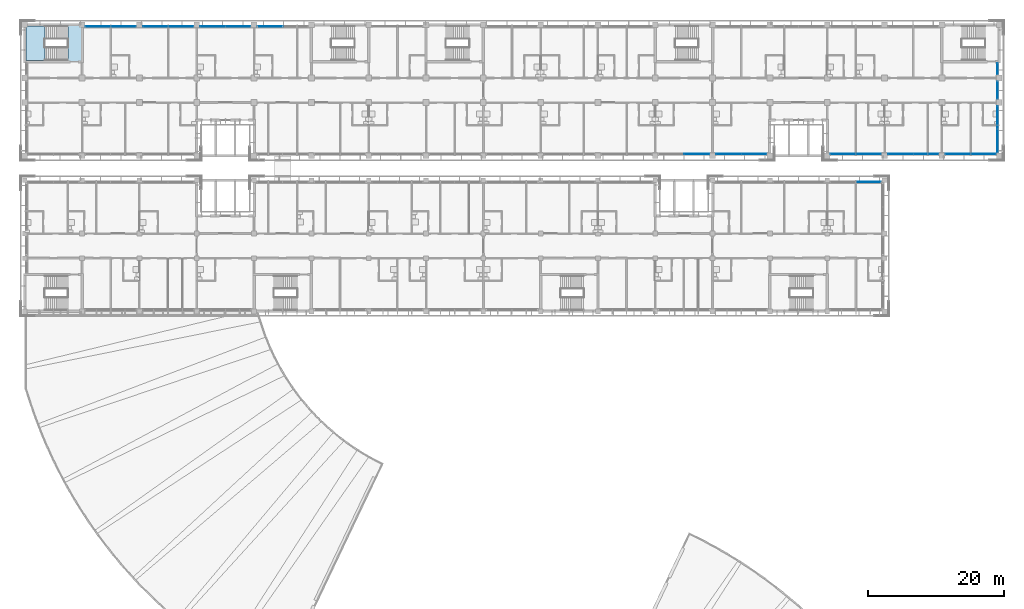
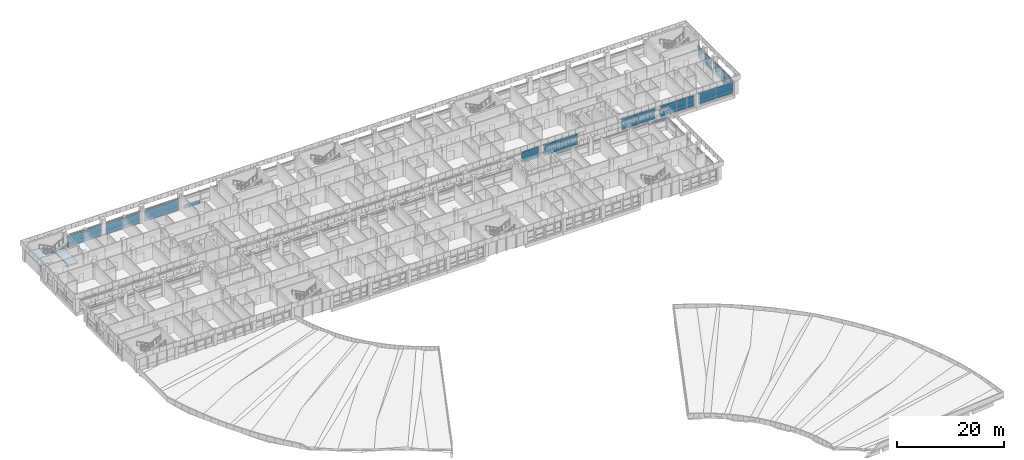
# One storey, part 25 of 74: 59 plates, 2 slabs, 14 elements without a shape of their own.
"""IFC4 building model written with IfcOpenShell, lengths in metres."""

from ifc_helpers import new_model, si_unit, direction, frame, origin, origin_2d, place, context, subcontext, project, spatial, polyline, rectangle, outline, extrude, material, layer, layer_set, type_object, element, aggregate, save


model = new_model("IFC4")

# Units and contexts
model_context = context("Model", 3, precision=1e-05, world=origin(), true_north=direction((0.0, 1.0)))
body_context = subcontext(model_context, "Body", "Model", "MODEL_VIEW")
ifc_project = project(units=[si_unit("LENGTHUNIT", "METRE"), si_unit("AREAUNIT", "SQUARE_METRE"), si_unit("VOLUMEUNIT", "CUBIC_METRE"), si_unit("PLANEANGLEUNIT", "RADIAN"), si_unit("MASSUNIT", "GRAM", prefix="KILO")], contexts=[model_context])

# Site, building, storey
site_placement = place(None, origin())
site = spatial("IfcSite", under=ifc_project, at=site_placement, CompositionType="ELEMENT")
building_placement = place(site_placement, origin())
building = spatial("IfcBuilding", under=site, at=building_placement, Name="Bougainvillea Quay General Hospital", CompositionType="ELEMENT")
storey_placement = place(building_placement, frame((0.0, 0.0, 21.0)))
storey = spatial("IfcBuildingStorey", under=building, at=storey_placement, Name="L04", CompositionType="ELEMENT", Elevation=21.0)

# Curtain wall, plate
ifc_material_1 = material(Name="Aluminium curtain wall system, powder-coated glazed", Category="aluminium")
curtain_wall_type_1 = type_object("IfcCurtainWallType", Name="Unitised curtain wall CW-3730", PredefinedType="NOTDEFINED", material=ifc_material_1)
curtain_wall_1_placement = place(storey_placement, origin())
curtain_wall_1 = element("IfcCurtainWall", 1, at=curtain_wall_1_placement, inside=storey, type_object=curtain_wall_type_1, Name="CW-4200 08", PredefinedType="NOTDEFINED")
ifc_material_2 = material(Name="Insulated aluminium spandrel panel, white", Category="aluminium")
ifc_layer_1 = layer(ifc_material_2, 0.028076171875)
ifc_layer_set_1 = layer_set([ifc_layer_1], Name="Insulated aluminium spandrel panel, white")
plate_type_1 = type_object("IfcPlateType", Name="Insulated spandrel panel white 28", PredefinedType="CURTAIN_PANEL", material=ifc_layer_set_1)
plate_1_placement = place(storey_placement, frame((77.949951171875, 159.35009765625, 0.06005859375), z_axis=(0.0, 0.0, 1.0), x_axis=(-1.0, 0.0, 0.0)))
plate_1 = element("IfcPlate", 2, at=plate_1_placement, type_object=plate_type_1, Name="CW-4200 spandrel panel 2.1", PredefinedType="CURTAIN_PANEL", context=body_context, shape_type="SweptSolid", body=[
    extrude(rectangle(XDim=3.639892578125, YDim=0.028076171875, at=origin_2d()), origin(), (0.0, 0.0, 1.0), 0.81005859375),
])
aggregate(curtain_wall_1, [plate_1])

# Curtain wall, plates
curtain_wall_2_placement = place(storey_placement, origin())
curtain_wall_2 = element("IfcCurtainWall", 3, at=curtain_wall_2_placement, inside=storey, type_object=curtain_wall_type_1, Name="CW-4200 09", PredefinedType="NOTDEFINED")
plate_2_placement = place(storey_placement, frame((73.25, 159.35009765625, 0.06005859375), z_axis=(0.0, 0.0, 1.0), x_axis=(-1.0, 0.0, 0.0)))
plate_2 = element("IfcPlate", 4, at=plate_2_placement, type_object=plate_type_1, Name="CW-4200 spandrel panel 1.1", PredefinedType="CURTAIN_PANEL", context=body_context, shape_type="SweptSolid", body=[
    extrude(rectangle(XDim=3.639892578125, YDim=0.028076171875, at=origin_2d()), origin(), (0.0, 0.0, 1.0), 0.81005859375),
])
plate_3_placement = place(storey_placement, frame((73.25, 159.35009765625, 2.2802734375), z_axis=(0.0, 0.0, 1.0), x_axis=(-1.0, 0.0, 0.0)))
plate_3 = element("IfcPlate", 5, at=plate_3_placement, type_object=plate_type_1, Name="CW-4200 spandrel panel 1.3", PredefinedType="CURTAIN_PANEL", context=body_context, shape_type="SweptSolid", body=[
    extrude(rectangle(XDim=3.639892578125, YDim=0.028076171875, at=origin_2d()), origin(), (0.0, 0.0, 1.0), 0.409912109375),
])
plate_4_placement = place(storey_placement, frame((69.550048828125, 159.35009765625, 0.06005859375), z_axis=(0.0, 0.0, 1.0), x_axis=(-1.0, 0.0, 0.0)))
plate_4 = element("IfcPlate", 6, at=plate_4_placement, type_object=plate_type_1, Name="CW-4200 spandrel panel 2.1", PredefinedType="CURTAIN_PANEL", context=body_context, shape_type="SweptSolid", body=[
    extrude(rectangle(XDim=3.639892578125, YDim=0.028076171875, at=origin_2d()), origin(), (0.0, 0.0, 1.0), 0.81005859375),
])
plate_5_placement = place(storey_placement, frame((69.550048828125, 159.35009765625, 2.2802734375), z_axis=(0.0, 0.0, 1.0), x_axis=(-1.0, 0.0, 0.0)))
plate_5 = element("IfcPlate", 7, at=plate_5_placement, type_object=plate_type_1, Name="CW-4200 spandrel panel 2.3", PredefinedType="CURTAIN_PANEL", context=body_context, shape_type="SweptSolid", body=[
    extrude(rectangle(XDim=3.639892578125, YDim=0.028076171875, at=origin_2d()), origin(), (0.0, 0.0, 1.0), 0.409912109375),
])

curtain_wall_3_placement = place(storey_placement, origin())
curtain_wall_3 = element("IfcCurtainWall", 8, at=curtain_wall_3_placement, inside=storey, type_object=curtain_wall_type_1, Name="CW-4200 10", PredefinedType="NOTDEFINED")
plate_6_placement = place(storey_placement, frame((64.85009765625, 159.35009765625, 0.06005859375), z_axis=(0.0, 0.0, 1.0), x_axis=(-1.0, 0.0, 0.0)))
plate_6 = element("IfcPlate", 9, at=plate_6_placement, type_object=plate_type_1, Name="CW-4200 spandrel panel 1.1", PredefinedType="CURTAIN_PANEL", context=body_context, shape_type="SweptSolid", body=[
    extrude(rectangle(XDim=3.639892578125, YDim=0.028076171875, at=origin_2d()), origin(), (0.0, 0.0, 1.0), 0.81005859375),
])
plate_7_placement = place(storey_placement, frame((64.85009765625, 159.35009765625, 2.2802734375), z_axis=(0.0, 0.0, 1.0), x_axis=(-1.0, 0.0, 0.0)))
plate_7 = element("IfcPlate", 10, at=plate_7_placement, type_object=plate_type_1, Name="CW-4200 spandrel panel 1.3", PredefinedType="CURTAIN_PANEL", context=body_context, shape_type="SweptSolid", body=[
    extrude(rectangle(XDim=3.639892578125, YDim=0.028076171875, at=origin_2d()), origin(), (0.0, 0.0, 1.0), 0.409912109375),
])
plate_8_placement = place(storey_placement, frame((61.14990234375, 159.35009765625, 0.06005859375), z_axis=(0.0, 0.0, 1.0), x_axis=(-1.0, 0.0, 0.0)))
plate_8 = element("IfcPlate", 11, at=plate_8_placement, type_object=plate_type_1, Name="CW-4200 spandrel panel 2.1", PredefinedType="CURTAIN_PANEL", context=body_context, shape_type="SweptSolid", body=[
    extrude(rectangle(XDim=3.639892578125, YDim=0.028076171875, at=origin_2d()), origin(), (0.0, 0.0, 1.0), 0.81005859375),
])
plate_9_placement = place(storey_placement, frame((61.14990234375, 159.35009765625, 2.2802734375), z_axis=(0.0, 0.0, 1.0), x_axis=(-1.0, 0.0, 0.0)))
plate_9 = element("IfcPlate", 12, at=plate_9_placement, type_object=plate_type_1, Name="CW-4200 spandrel panel 2.3", PredefinedType="CURTAIN_PANEL", context=body_context, shape_type="SweptSolid", body=[
    extrude(rectangle(XDim=3.639892578125, YDim=0.028076171875, at=origin_2d()), origin(), (0.0, 0.0, 1.0), 0.409912109375),
])

curtain_wall_4_placement = place(storey_placement, origin())
curtain_wall_4 = element("IfcCurtainWall", 13, at=curtain_wall_4_placement, inside=storey, type_object=curtain_wall_type_1, Name="CW-4200 11", PredefinedType="NOTDEFINED")
plate_10_placement = place(storey_placement, frame((56.449951171875, 159.35009765625, 0.06005859375), z_axis=(0.0, 0.0, 1.0), x_axis=(-1.0, 0.0, 0.0)))
plate_10 = element("IfcPlate", 14, at=plate_10_placement, type_object=plate_type_1, Name="CW-4200 spandrel panel 1.1", PredefinedType="CURTAIN_PANEL", context=body_context, shape_type="SweptSolid", body=[
    extrude(rectangle(XDim=3.639892578125, YDim=0.028076171875, at=origin_2d()), origin(), (0.0, 0.0, 1.0), 0.81005859375),
])
plate_11_placement = place(storey_placement, frame((56.449951171875, 159.35009765625, 2.2802734375), z_axis=(0.0, 0.0, 1.0), x_axis=(-1.0, 0.0, 0.0)))
plate_11 = element("IfcPlate", 15, at=plate_11_placement, type_object=plate_type_1, Name="CW-4200 spandrel panel 1.3", PredefinedType="CURTAIN_PANEL", context=body_context, shape_type="SweptSolid", body=[
    extrude(rectangle(XDim=3.639892578125, YDim=0.028076171875, at=origin_2d()), origin(), (0.0, 0.0, 1.0), 0.409912109375),
])
plate_12_placement = place(storey_placement, frame((52.75, 159.35009765625, 0.06005859375), z_axis=(0.0, 0.0, 1.0), x_axis=(-1.0, 0.0, 0.0)))
plate_12 = element("IfcPlate", 16, at=plate_12_placement, type_object=plate_type_1, Name="CW-4200 spandrel panel 2.1", PredefinedType="CURTAIN_PANEL", context=body_context, shape_type="SweptSolid", body=[
    extrude(rectangle(XDim=3.639892578125, YDim=0.028076171875, at=origin_2d()), origin(), (0.0, 0.0, 1.0), 0.81005859375),
])
plate_13_placement = place(storey_placement, frame((52.75, 159.35009765625, 2.2802734375), z_axis=(0.0, 0.0, 1.0), x_axis=(-1.0, 0.0, 0.0)))
plate_13 = element("IfcPlate", 17, at=plate_13_placement, type_object=plate_type_1, Name="CW-4200 spandrel panel 2.3", PredefinedType="CURTAIN_PANEL", context=body_context, shape_type="SweptSolid", body=[
    extrude(rectangle(XDim=3.639892578125, YDim=0.028076171875, at=origin_2d()), origin(), (0.0, 0.0, 1.0), 0.409912109375),
])

curtain_wall_5_placement = place(storey_placement, origin())
curtain_wall_5 = element("IfcCurtainWall", 18, at=curtain_wall_5_placement, inside=storey, type_object=curtain_wall_type_1, Name="CW-4200 07", PredefinedType="NOTDEFINED")
plate_14_placement = place(storey_placement, frame((140.449951171875, 140.64990234375, 0.06005859375), z_axis=(0.0, 0.0, 1.0), x_axis=(1.0, 0.0, 0.0)))
plate_14 = element("IfcPlate", 19, at=plate_14_placement, type_object=plate_type_1, Name="CW-4200 spandrel panel 2.1", PredefinedType="CURTAIN_PANEL", context=body_context, shape_type="SweptSolid", body=[
    extrude(rectangle(XDim=3.639892578125, YDim=0.028076171875, at=origin_2d()), origin(), (0.0, 0.0, 1.0), 0.81005859375),
])
plate_15_placement = place(storey_placement, frame((140.449951171875, 140.64990234375, 2.2802734375), z_axis=(0.0, 0.0, 1.0), x_axis=(1.0, 0.0, 0.0)))
plate_15 = element("IfcPlate", 20, at=plate_15_placement, type_object=plate_type_1, Name="CW-4200 spandrel panel 2.3", PredefinedType="CURTAIN_PANEL", context=body_context, shape_type="SweptSolid", body=[
    extrude(rectangle(XDim=3.639892578125, YDim=0.028076171875, at=origin_2d()), origin(), (0.0, 0.0, 1.0), 0.409912109375),
])

curtain_wall_6_placement = place(storey_placement, origin())
curtain_wall_6 = element("IfcCurtainWall", 21, at=curtain_wall_6_placement, inside=storey, type_object=curtain_wall_type_1, Name="CW-4200 08", PredefinedType="NOTDEFINED")
plate_16_placement = place(storey_placement, frame((145.14990234375, 140.64990234375, 0.06005859375), z_axis=(0.0, 0.0, 1.0), x_axis=(1.0, 0.0, 0.0)))
plate_16 = element("IfcPlate", 22, at=plate_16_placement, type_object=plate_type_1, Name="CW-4200 spandrel panel 1.1", PredefinedType="CURTAIN_PANEL", context=body_context, shape_type="SweptSolid", body=[
    extrude(rectangle(XDim=3.639892578125, YDim=0.028076171875, at=origin_2d()), origin(), (0.0, 0.0, 1.0), 0.81005859375),
])
plate_17_placement = place(storey_placement, frame((145.14990234375, 140.64990234375, 2.2802734375), z_axis=(0.0, 0.0, 1.0), x_axis=(1.0, 0.0, 0.0)))
plate_17 = element("IfcPlate", 23, at=plate_17_placement, type_object=plate_type_1, Name="CW-4200 spandrel panel 1.3", PredefinedType="CURTAIN_PANEL", context=body_context, shape_type="SweptSolid", body=[
    extrude(rectangle(XDim=3.639892578125, YDim=0.028076171875, at=origin_2d()), origin(), (0.0, 0.0, 1.0), 0.409912109375),
])
plate_18_placement = place(storey_placement, frame((148.85009765625, 140.64990234375, 0.06005859375), z_axis=(0.0, 0.0, 1.0), x_axis=(1.0, 0.0, 0.0)))
plate_18 = element("IfcPlate", 24, at=plate_18_placement, type_object=plate_type_1, Name="CW-4200 spandrel panel 2.1", PredefinedType="CURTAIN_PANEL", context=body_context, shape_type="SweptSolid", body=[
    extrude(rectangle(XDim=3.639892578125, YDim=0.028076171875, at=origin_2d()), origin(), (0.0, 0.0, 1.0), 0.81005859375),
])
plate_19_placement = place(storey_placement, frame((148.85009765625, 140.64990234375, 2.2802734375), z_axis=(0.0, 0.0, 1.0), x_axis=(1.0, 0.0, 0.0)))
plate_19 = element("IfcPlate", 25, at=plate_19_placement, type_object=plate_type_1, Name="CW-4200 spandrel panel 2.3", PredefinedType="CURTAIN_PANEL", context=body_context, shape_type="SweptSolid", body=[
    extrude(rectangle(XDim=3.639892578125, YDim=0.028076171875, at=origin_2d()), origin(), (0.0, 0.0, 1.0), 0.409912109375),
])

curtain_wall_7_placement = place(storey_placement, origin())
curtain_wall_7 = element("IfcCurtainWall", 26, at=curtain_wall_7_placement, inside=storey, type_object=curtain_wall_type_1, Name="CW-4200 00", PredefinedType="NOTDEFINED")
plate_20_placement = place(storey_placement, frame((161.949951171875, 140.64990234375, 0.06005859375), z_axis=(0.0, 0.0, 1.0), x_axis=(1.0, 0.0, 0.0)))
plate_20 = element("IfcPlate", 27, at=plate_20_placement, type_object=plate_type_1, Name="CW-4200 spandrel panel 1.1", PredefinedType="CURTAIN_PANEL", context=body_context, shape_type="SweptSolid", body=[
    extrude(rectangle(XDim=3.639892578125, YDim=0.028076171875, at=origin_2d()), origin(), (0.0, 0.0, 1.0), 0.81005859375),
])
plate_21_placement = place(storey_placement, frame((161.949951171875, 140.64990234375, 2.2802734375), z_axis=(0.0, 0.0, 1.0), x_axis=(1.0, 0.0, 0.0)))
plate_21 = element("IfcPlate", 28, at=plate_21_placement, type_object=plate_type_1, Name="CW-4200 spandrel panel 1.3", PredefinedType="CURTAIN_PANEL", context=body_context, shape_type="SweptSolid", body=[
    extrude(rectangle(XDim=3.639892578125, YDim=0.028076171875, at=origin_2d()), origin(), (0.0, 0.0, 1.0), 0.409912109375),
])
plate_22_placement = place(storey_placement, frame((165.64990234375, 140.64990234375, 0.06005859375), z_axis=(0.0, 0.0, 1.0), x_axis=(1.0, 0.0, 0.0)))
plate_22 = element("IfcPlate", 29, at=plate_22_placement, type_object=plate_type_1, Name="CW-4200 spandrel panel 2.1", PredefinedType="CURTAIN_PANEL", context=body_context, shape_type="SweptSolid", body=[
    extrude(rectangle(XDim=3.639892578125, YDim=0.028076171875, at=origin_2d()), origin(), (0.0, 0.0, 1.0), 0.81005859375),
])
plate_23_placement = place(storey_placement, frame((165.64990234375, 140.64990234375, 2.2802734375), z_axis=(0.0, 0.0, 1.0), x_axis=(1.0, 0.0, 0.0)))
plate_23 = element("IfcPlate", 30, at=plate_23_placement, type_object=plate_type_1, Name="CW-4200 spandrel panel 2.3", PredefinedType="CURTAIN_PANEL", context=body_context, shape_type="SweptSolid", body=[
    extrude(rectangle(XDim=3.639892578125, YDim=0.028076171875, at=origin_2d()), origin(), (0.0, 0.0, 1.0), 0.409912109375),
])

curtain_wall_8_placement = place(storey_placement, origin())
curtain_wall_8 = element("IfcCurtainWall", 31, at=curtain_wall_8_placement, inside=storey, type_object=curtain_wall_type_1, Name="CW-4200 01", PredefinedType="NOTDEFINED")
plate_24_placement = place(storey_placement, frame((170.35009765625, 140.64990234375, 0.06005859375), z_axis=(0.0, 0.0, 1.0), x_axis=(1.0, 0.0, 0.0)))
plate_24 = element("IfcPlate", 32, at=plate_24_placement, type_object=plate_type_1, Name="CW-4200 spandrel panel 1.1", PredefinedType="CURTAIN_PANEL", context=body_context, shape_type="SweptSolid", body=[
    extrude(rectangle(XDim=3.639892578125, YDim=0.028076171875, at=origin_2d()), origin(), (0.0, 0.0, 1.0), 0.81005859375),
])
plate_25_placement = place(storey_placement, frame((170.35009765625, 140.64990234375, 2.2802734375), z_axis=(0.0, 0.0, 1.0), x_axis=(1.0, 0.0, 0.0)))
plate_25 = element("IfcPlate", 33, at=plate_25_placement, type_object=plate_type_1, Name="CW-4200 spandrel panel 1.3", PredefinedType="CURTAIN_PANEL", context=body_context, shape_type="SweptSolid", body=[
    extrude(rectangle(XDim=3.639892578125, YDim=0.028076171875, at=origin_2d()), origin(), (0.0, 0.0, 1.0), 0.409912109375),
])
plate_26_placement = place(storey_placement, frame((174.050048828125, 140.64990234375, 0.06005859375), z_axis=(0.0, 0.0, 1.0), x_axis=(1.0, 0.0, 0.0)))
plate_26 = element("IfcPlate", 34, at=plate_26_placement, type_object=plate_type_1, Name="CW-4200 spandrel panel 2.1", PredefinedType="CURTAIN_PANEL", context=body_context, shape_type="SweptSolid", body=[
    extrude(rectangle(XDim=3.639892578125, YDim=0.028076171875, at=origin_2d()), origin(), (0.0, 0.0, 1.0), 0.81005859375),
])
plate_27_placement = place(storey_placement, frame((174.050048828125, 140.64990234375, 2.2802734375), z_axis=(0.0, 0.0, 1.0), x_axis=(1.0, 0.0, 0.0)))
plate_27 = element("IfcPlate", 35, at=plate_27_placement, type_object=plate_type_1, Name="CW-4200 spandrel panel 2.3", PredefinedType="CURTAIN_PANEL", context=body_context, shape_type="SweptSolid", body=[
    extrude(rectangle(XDim=3.639892578125, YDim=0.028076171875, at=origin_2d()), origin(), (0.0, 0.0, 1.0), 0.409912109375),
])

curtain_wall_9_placement = place(storey_placement, origin())
curtain_wall_9 = element("IfcCurtainWall", 36, at=curtain_wall_9_placement, inside=storey, type_object=curtain_wall_type_1, Name="CW-4200 02", PredefinedType="NOTDEFINED")
plate_28_placement = place(storey_placement, frame((178.75, 140.64990234375, 0.06005859375), z_axis=(0.0, 0.0, 1.0), x_axis=(1.0, 0.0, 0.0)))
plate_28 = element("IfcPlate", 37, at=plate_28_placement, type_object=plate_type_1, Name="CW-4200 spandrel panel 1.1", PredefinedType="CURTAIN_PANEL", context=body_context, shape_type="SweptSolid", body=[
    extrude(rectangle(XDim=3.639892578125, YDim=0.028076171875, at=origin_2d()), origin(), (0.0, 0.0, 1.0), 0.81005859375),
])
plate_29_placement = place(storey_placement, frame((178.75, 140.64990234375, 2.2802734375), z_axis=(0.0, 0.0, 1.0), x_axis=(1.0, 0.0, 0.0)))
plate_29 = element("IfcPlate", 38, at=plate_29_placement, type_object=plate_type_1, Name="CW-4200 spandrel panel 1.3", PredefinedType="CURTAIN_PANEL", context=body_context, shape_type="SweptSolid", body=[
    extrude(rectangle(XDim=3.639892578125, YDim=0.028076171875, at=origin_2d()), origin(), (0.0, 0.0, 1.0), 0.409912109375),
])
plate_30_placement = place(storey_placement, frame((182.449951171875, 140.64990234375, 0.06005859375), z_axis=(0.0, 0.0, 1.0), x_axis=(1.0, 0.0, 0.0)))
plate_30 = element("IfcPlate", 39, at=plate_30_placement, type_object=plate_type_1, Name="CW-4200 spandrel panel 2.1", PredefinedType="CURTAIN_PANEL", context=body_context, shape_type="SweptSolid", body=[
    extrude(rectangle(XDim=3.639892578125, YDim=0.028076171875, at=origin_2d()), origin(), (0.0, 0.0, 1.0), 0.81005859375),
])
plate_31_placement = place(storey_placement, frame((182.449951171875, 140.64990234375, 2.2802734375), z_axis=(0.0, 0.0, 1.0), x_axis=(1.0, 0.0, 0.0)))
plate_31 = element("IfcPlate", 40, at=plate_31_placement, type_object=plate_type_1, Name="CW-4200 spandrel panel 2.3", PredefinedType="CURTAIN_PANEL", context=body_context, shape_type="SweptSolid", body=[
    extrude(rectangle(XDim=3.639892578125, YDim=0.028076171875, at=origin_2d()), origin(), (0.0, 0.0, 1.0), 0.409912109375),
])

curtain_wall_type_2 = type_object("IfcCurtainWallType", Name="Unitised curtain wall CW-3430", PredefinedType="NOTDEFINED", material=ifc_material_1)
curtain_wall_10_placement = place(storey_placement, origin())
curtain_wall_10 = element("IfcCurtainWall", 41, at=curtain_wall_10_placement, inside=storey, type_object=curtain_wall_type_2, Name="CW-4200 00", PredefinedType="NOTDEFINED")
plate_32_placement = place(storey_placement, frame((184.550048828125, 142.60009765625, 0.06005859375), z_axis=(0.0, 0.0, 1.0), x_axis=(0.0, 1.0, 0.0)))
plate_32 = element("IfcPlate", 42, at=plate_32_placement, type_object=plate_type_1, Name="CW-4200 spandrel panel 1.1", PredefinedType="CURTAIN_PANEL", context=body_context, shape_type="SweptSolid", body=[
    extrude(rectangle(XDim=3.340087890625, YDim=0.028076171875, at=origin_2d()), origin(), (0.0, 0.0, 1.0), 0.81005859375),
])
plate_33_placement = place(storey_placement, frame((184.550048828125, 142.60009765625, 2.2802734375), z_axis=(0.0, 0.0, 1.0), x_axis=(0.0, 1.0, 0.0)))
plate_33 = element("IfcPlate", 43, at=plate_33_placement, type_object=plate_type_1, Name="CW-4200 spandrel panel 1.3", PredefinedType="CURTAIN_PANEL", context=body_context, shape_type="SweptSolid", body=[
    extrude(rectangle(XDim=3.340087890625, YDim=0.028076171875, at=origin_2d()), origin(), (0.0, 0.0, 1.0), 0.409912109375),
])
plate_34_placement = place(storey_placement, frame((184.550048828125, 146.0, 0.06005859375), z_axis=(0.0, 0.0, 1.0), x_axis=(0.0, 1.0, 0.0)))
plate_34 = element("IfcPlate", 44, at=plate_34_placement, type_object=plate_type_1, Name="CW-4200 spandrel panel 2.1", PredefinedType="CURTAIN_PANEL", context=body_context, shape_type="SweptSolid", body=[
    extrude(rectangle(XDim=3.340087890625, YDim=0.028076171875, at=origin_2d()), origin(), (0.0, 0.0, 1.0), 0.81005859375),
])
plate_35_placement = place(storey_placement, frame((184.550048828125, 146.0, 2.2802734375), z_axis=(0.0, 0.0, 1.0), x_axis=(0.0, 1.0, 0.0)))
plate_35 = element("IfcPlate", 45, at=plate_35_placement, type_object=plate_type_1, Name="CW-4200 spandrel panel 2.3", PredefinedType="CURTAIN_PANEL", context=body_context, shape_type="SweptSolid", body=[
    extrude(rectangle(XDim=3.340087890625, YDim=0.028076171875, at=origin_2d()), origin(), (0.0, 0.0, 1.0), 0.409912109375),
])

curtain_wall_type_3 = type_object("IfcCurtainWallType", Name="Unitised curtain wall CW-2660", PredefinedType="NOTDEFINED", material=ifc_material_1)
curtain_wall_11_placement = place(storey_placement, origin())
curtain_wall_11 = element("IfcCurtainWall", 46, at=curtain_wall_11_placement, inside=storey, type_object=curtain_wall_type_3, Name="CW-4200 01", PredefinedType="NOTDEFINED")
plate_36_placement = place(storey_placement, frame((184.550048828125, 150.0, 0.06005859375), z_axis=(0.0, 0.0, 1.0), x_axis=(0.0, 1.0, 0.0)))
plate_36 = element("IfcPlate", 47, at=plate_36_placement, type_object=plate_type_1, Name="CW-4200 spandrel panel 1.1", PredefinedType="CURTAIN_PANEL", context=body_context, shape_type="SweptSolid", body=[
    extrude(rectangle(XDim=2.5400390625, YDim=0.028076171875, at=origin_2d()), origin(), (0.0, 0.0, 1.0), 0.81005859375),
])
plate_37_placement = place(storey_placement, frame((184.550048828125, 150.0, 2.2802734375), z_axis=(0.0, 0.0, 1.0), x_axis=(0.0, 1.0, 0.0)))
plate_37 = element("IfcPlate", 48, at=plate_37_placement, type_object=plate_type_1, Name="CW-4200 spandrel panel 1.3", PredefinedType="CURTAIN_PANEL", context=body_context, shape_type="SweptSolid", body=[
    extrude(rectangle(XDim=2.5400390625, YDim=0.028076171875, at=origin_2d()), origin(), (0.0, 0.0, 1.0), 0.409912109375),
])

curtain_wall_type_4 = type_object("IfcCurtainWallType", Name="Unitised curtain wall CW-1755", PredefinedType="NOTDEFINED", material=ifc_material_1)
curtain_wall_12_placement = place(storey_placement, origin())
curtain_wall_12 = element("IfcCurtainWall", 49, at=curtain_wall_12_placement, inside=storey, type_object=curtain_wall_type_4, Name="CW-4200 02", PredefinedType="NOTDEFINED")
plate_38_placement = place(storey_placement, frame((184.550048828125, 153.1474609375, 0.06005859375), z_axis=(0.0, 0.0, 1.0), x_axis=(0.0, 1.0, 0.0)))
plate_38 = element("IfcPlate", 50, at=plate_38_placement, type_object=plate_type_1, Name="CW-4200 spandrel panel 1.1", PredefinedType="CURTAIN_PANEL", context=body_context, shape_type="SweptSolid", body=[
    extrude(rectangle(XDim=1.635009765625, YDim=0.028076171875, at=origin_2d()), origin(), (0.0, 0.0, 1.0), 0.81005859375),
])
plate_39_placement = place(storey_placement, frame((184.550048828125, 153.1474609375, 2.2802734375), z_axis=(0.0, 0.0, 1.0), x_axis=(0.0, 1.0, 0.0)))
plate_39 = element("IfcPlate", 51, at=plate_39_placement, type_object=plate_type_1, Name="CW-4200 spandrel panel 1.3", PredefinedType="CURTAIN_PANEL", context=body_context, shape_type="SweptSolid", body=[
    extrude(rectangle(XDim=1.635009765625, YDim=0.028076171875, at=origin_2d()), origin(), (0.0, 0.0, 1.0), 0.409912109375),
])

# Curtain wall, plate
curtain_wall_13_placement = place(storey_placement, origin())
curtain_wall_13 = element("IfcCurtainWall", 52, at=curtain_wall_13_placement, inside=storey, type_object=curtain_wall_type_1, Name="CW-4200 00", PredefinedType="NOTDEFINED")
plate_40_placement = place(storey_placement, frame((165.64990234375, 136.550048828125, 2.2802734375), z_axis=(0.0, 0.0, 1.0), x_axis=(-1.0, 0.0, 0.0)))
plate_40 = element("IfcPlate", 53, at=plate_40_placement, type_object=plate_type_1, Name="CW-4200 spandrel panel 1.3", PredefinedType="CURTAIN_PANEL", context=body_context, shape_type="SweptSolid", body=[
    extrude(rectangle(XDim=3.639892578125, YDim=0.028076171875, at=origin_2d()), origin(), (0.0, 0.0, 1.0), 0.409912109375),
])
aggregate(curtain_wall_13, [plate_40])

# Plate
ifc_material_3 = material(Name="Low-e laminated glass, solar control", Category="glass")
ifc_layer_2 = layer(ifc_material_3, 0.028076171875)
ifc_layer_set_2 = layer_set([ifc_layer_2], Name="Low-e laminated glass, solar control")
plate_type_2 = type_object("IfcPlateType", Name="Low-e laminated vision glass 28", PredefinedType="CURTAIN_PANEL", material=ifc_layer_set_2)
plate_41_placement = place(storey_placement, frame((73.25, 159.35009765625, 0.929931640625), z_axis=(0.0, 0.0, 1.0), x_axis=(-1.0, 0.0, 0.0)))
plate_41 = element("IfcPlate", 54, at=plate_41_placement, type_object=plate_type_2, Name="CW-4200 vision glass panel 1.2", PredefinedType="CURTAIN_PANEL", context=body_context, shape_type="SweptSolid", body=[
    extrude(rectangle(XDim=3.639892578125, YDim=0.028076171875, at=origin_2d()), origin(), (0.0, 0.0, 1.0), 1.2900390625),
])

plate_42_placement = place(storey_placement, frame((69.550048828125, 159.35009765625, 0.929931640625), z_axis=(0.0, 0.0, 1.0), x_axis=(-1.0, 0.0, 0.0)))
plate_42 = element("IfcPlate", 55, at=plate_42_placement, type_object=plate_type_2, Name="CW-4200 vision glass panel 2.2", PredefinedType="CURTAIN_PANEL", context=body_context, shape_type="SweptSolid", body=[
    extrude(rectangle(XDim=3.639892578125, YDim=0.028076171875, at=origin_2d()), origin(), (0.0, 0.0, 1.0), 1.2900390625),
])

aggregate(curtain_wall_2, [plate_2, plate_41, plate_3, plate_4, plate_42, plate_5])

plate_43_placement = place(storey_placement, frame((64.85009765625, 159.35009765625, 0.929931640625), z_axis=(0.0, 0.0, 1.0), x_axis=(-1.0, 0.0, 0.0)))
plate_43 = element("IfcPlate", 56, at=plate_43_placement, type_object=plate_type_2, Name="CW-4200 vision glass panel 1.2", PredefinedType="CURTAIN_PANEL", context=body_context, shape_type="SweptSolid", body=[
    extrude(rectangle(XDim=3.639892578125, YDim=0.028076171875, at=origin_2d()), origin(), (0.0, 0.0, 1.0), 1.2900390625),
])

plate_44_placement = place(storey_placement, frame((61.14990234375, 159.35009765625, 0.929931640625), z_axis=(0.0, 0.0, 1.0), x_axis=(-1.0, 0.0, 0.0)))
plate_44 = element("IfcPlate", 57, at=plate_44_placement, type_object=plate_type_2, Name="CW-4200 vision glass panel 2.2", PredefinedType="CURTAIN_PANEL", context=body_context, shape_type="SweptSolid", body=[
    extrude(rectangle(XDim=3.639892578125, YDim=0.028076171875, at=origin_2d()), origin(), (0.0, 0.0, 1.0), 1.2900390625),
])

aggregate(curtain_wall_3, [plate_6, plate_43, plate_7, plate_8, plate_44, plate_9])

plate_45_placement = place(storey_placement, frame((56.449951171875, 159.35009765625, 0.929931640625), z_axis=(0.0, 0.0, 1.0), x_axis=(-1.0, 0.0, 0.0)))
plate_45 = element("IfcPlate", 58, at=plate_45_placement, type_object=plate_type_2, Name="CW-4200 vision glass panel 1.2", PredefinedType="CURTAIN_PANEL", context=body_context, shape_type="SweptSolid", body=[
    extrude(rectangle(XDim=3.639892578125, YDim=0.028076171875, at=origin_2d()), origin(), (0.0, 0.0, 1.0), 1.2900390625),
])

plate_46_placement = place(storey_placement, frame((52.75, 159.35009765625, 0.929931640625), z_axis=(0.0, 0.0, 1.0), x_axis=(-1.0, 0.0, 0.0)))
plate_46 = element("IfcPlate", 59, at=plate_46_placement, type_object=plate_type_2, Name="CW-4200 vision glass panel 2.2", PredefinedType="CURTAIN_PANEL", context=body_context, shape_type="SweptSolid", body=[
    extrude(rectangle(XDim=3.639892578125, YDim=0.028076171875, at=origin_2d()), origin(), (0.0, 0.0, 1.0), 1.2900390625),
])

aggregate(curtain_wall_4, [plate_10, plate_45, plate_11, plate_12, plate_46, plate_13])

plate_47_placement = place(storey_placement, frame((140.449951171875, 140.64990234375, 0.929931640625), z_axis=(0.0, 0.0, 1.0), x_axis=(1.0, 0.0, 0.0)))
plate_47 = element("IfcPlate", 60, at=plate_47_placement, type_object=plate_type_2, Name="CW-4200 vision glass panel 2.2", PredefinedType="CURTAIN_PANEL", context=body_context, shape_type="SweptSolid", body=[
    extrude(rectangle(XDim=3.639892578125, YDim=0.028076171875, at=origin_2d()), origin(), (0.0, 0.0, 1.0), 1.2900390625),
])

aggregate(curtain_wall_5, [plate_14, plate_47, plate_15])

plate_48_placement = place(storey_placement, frame((145.14990234375, 140.64990234375, 0.929931640625), z_axis=(0.0, 0.0, 1.0), x_axis=(1.0, 0.0, 0.0)))
plate_48 = element("IfcPlate", 61, at=plate_48_placement, type_object=plate_type_2, Name="CW-4200 vision glass panel 1.2", PredefinedType="CURTAIN_PANEL", context=body_context, shape_type="SweptSolid", body=[
    extrude(rectangle(XDim=3.639892578125, YDim=0.028076171875, at=origin_2d()), origin(), (0.0, 0.0, 1.0), 1.2900390625),
])

plate_49_placement = place(storey_placement, frame((148.85009765625, 140.64990234375, 0.929931640625), z_axis=(0.0, 0.0, 1.0), x_axis=(1.0, 0.0, 0.0)))
plate_49 = element("IfcPlate", 62, at=plate_49_placement, type_object=plate_type_2, Name="CW-4200 vision glass panel 2.2", PredefinedType="CURTAIN_PANEL", context=body_context, shape_type="SweptSolid", body=[
    extrude(rectangle(XDim=3.639892578125, YDim=0.028076171875, at=origin_2d()), origin(), (0.0, 0.0, 1.0), 1.2900390625),
])

aggregate(curtain_wall_6, [plate_16, plate_48, plate_17, plate_18, plate_49, plate_19])

plate_50_placement = place(storey_placement, frame((161.949951171875, 140.64990234375, 0.929931640625), z_axis=(0.0, 0.0, 1.0), x_axis=(1.0, 0.0, 0.0)))
plate_50 = element("IfcPlate", 63, at=plate_50_placement, type_object=plate_type_2, Name="CW-4200 vision glass panel 1.2", PredefinedType="CURTAIN_PANEL", context=body_context, shape_type="SweptSolid", body=[
    extrude(rectangle(XDim=3.639892578125, YDim=0.028076171875, at=origin_2d()), origin(), (0.0, 0.0, 1.0), 1.2900390625),
])

plate_51_placement = place(storey_placement, frame((165.64990234375, 140.64990234375, 0.929931640625), z_axis=(0.0, 0.0, 1.0), x_axis=(1.0, 0.0, 0.0)))
plate_51 = element("IfcPlate", 64, at=plate_51_placement, type_object=plate_type_2, Name="CW-4200 vision glass panel 2.2", PredefinedType="CURTAIN_PANEL", context=body_context, shape_type="SweptSolid", body=[
    extrude(rectangle(XDim=3.639892578125, YDim=0.028076171875, at=origin_2d()), origin(), (0.0, 0.0, 1.0), 1.2900390625),
])

aggregate(curtain_wall_7, [plate_20, plate_50, plate_21, plate_22, plate_51, plate_23])

plate_52_placement = place(storey_placement, frame((170.35009765625, 140.64990234375, 0.929931640625), z_axis=(0.0, 0.0, 1.0), x_axis=(1.0, 0.0, 0.0)))
plate_52 = element("IfcPlate", 65, at=plate_52_placement, type_object=plate_type_2, Name="CW-4200 vision glass panel 1.2", PredefinedType="CURTAIN_PANEL", context=body_context, shape_type="SweptSolid", body=[
    extrude(rectangle(XDim=3.639892578125, YDim=0.028076171875, at=origin_2d()), origin(), (0.0, 0.0, 1.0), 1.2900390625),
])

plate_53_placement = place(storey_placement, frame((174.050048828125, 140.64990234375, 0.929931640625), z_axis=(0.0, 0.0, 1.0), x_axis=(1.0, 0.0, 0.0)))
plate_53 = element("IfcPlate", 66, at=plate_53_placement, type_object=plate_type_2, Name="CW-4200 vision glass panel 2.2", PredefinedType="CURTAIN_PANEL", context=body_context, shape_type="SweptSolid", body=[
    extrude(rectangle(XDim=3.639892578125, YDim=0.028076171875, at=origin_2d()), origin(), (0.0, 0.0, 1.0), 1.2900390625),
])

aggregate(curtain_wall_8, [plate_24, plate_52, plate_25, plate_26, plate_53, plate_27])

plate_54_placement = place(storey_placement, frame((178.75, 140.64990234375, 0.929931640625), z_axis=(0.0, 0.0, 1.0), x_axis=(1.0, 0.0, 0.0)))
plate_54 = element("IfcPlate", 67, at=plate_54_placement, type_object=plate_type_2, Name="CW-4200 vision glass panel 1.2", PredefinedType="CURTAIN_PANEL", context=body_context, shape_type="SweptSolid", body=[
    extrude(rectangle(XDim=3.639892578125, YDim=0.028076171875, at=origin_2d()), origin(), (0.0, 0.0, 1.0), 1.2900390625),
])

plate_55_placement = place(storey_placement, frame((182.449951171875, 140.64990234375, 0.929931640625), z_axis=(0.0, 0.0, 1.0), x_axis=(1.0, 0.0, 0.0)))
plate_55 = element("IfcPlate", 68, at=plate_55_placement, type_object=plate_type_2, Name="CW-4200 vision glass panel 2.2", PredefinedType="CURTAIN_PANEL", context=body_context, shape_type="SweptSolid", body=[
    extrude(rectangle(XDim=3.639892578125, YDim=0.028076171875, at=origin_2d()), origin(), (0.0, 0.0, 1.0), 1.2900390625),
])

aggregate(curtain_wall_9, [plate_28, plate_54, plate_29, plate_30, plate_55, plate_31])

plate_56_placement = place(storey_placement, frame((184.550048828125, 142.60009765625, 0.929931640625), z_axis=(0.0, 0.0, 1.0), x_axis=(0.0, 1.0, 0.0)))
plate_56 = element("IfcPlate", 69, at=plate_56_placement, type_object=plate_type_2, Name="CW-4200 vision glass panel 1.2", PredefinedType="CURTAIN_PANEL", context=body_context, shape_type="SweptSolid", body=[
    extrude(rectangle(XDim=3.340087890625, YDim=0.028076171875, at=origin_2d()), origin(), (0.0, 0.0, 1.0), 1.2900390625),
])

plate_57_placement = place(storey_placement, frame((184.550048828125, 146.0, 0.929931640625), z_axis=(0.0, 0.0, 1.0), x_axis=(0.0, 1.0, 0.0)))
plate_57 = element("IfcPlate", 70, at=plate_57_placement, type_object=plate_type_2, Name="CW-4200 vision glass panel 2.2", PredefinedType="CURTAIN_PANEL", context=body_context, shape_type="SweptSolid", body=[
    extrude(rectangle(XDim=3.340087890625, YDim=0.028076171875, at=origin_2d()), origin(), (0.0, 0.0, 1.0), 1.2900390625),
])

aggregate(curtain_wall_10, [plate_32, plate_56, plate_33, plate_34, plate_57, plate_35])

plate_58_placement = place(storey_placement, frame((184.550048828125, 150.0, 0.929931640625), z_axis=(0.0, 0.0, 1.0), x_axis=(0.0, 1.0, 0.0)))
plate_58 = element("IfcPlate", 71, at=plate_58_placement, type_object=plate_type_2, Name="CW-4200 vision glass panel 1.2", PredefinedType="CURTAIN_PANEL", context=body_context, shape_type="SweptSolid", body=[
    extrude(rectangle(XDim=2.5400390625, YDim=0.028076171875, at=origin_2d()), origin(), (0.0, 0.0, 1.0), 1.2900390625),
])

aggregate(curtain_wall_11, [plate_36, plate_58, plate_37])

plate_59_placement = place(storey_placement, frame((184.550048828125, 153.1474609375, 0.929931640625), z_axis=(0.0, 0.0, 1.0), x_axis=(0.0, 1.0, 0.0)))
plate_59 = element("IfcPlate", 72, at=plate_59_placement, type_object=plate_type_2, Name="CW-4200 vision glass panel 1.2", PredefinedType="CURTAIN_PANEL", context=body_context, shape_type="SweptSolid", body=[
    extrude(rectangle(XDim=1.635009765625, YDim=0.028076171875, at=origin_2d()), origin(), (0.0, 0.0, 1.0), 1.2900390625),
])

aggregate(curtain_wall_12, [plate_38, plate_59, plate_39])

# Slab
ifc_material_4 = material(Name="Concrete C35", Category="concrete")
ifc_layer_3 = layer(ifc_material_4, 0.300048828125)
ifc_layer_set_3 = layer_set([ifc_layer_3], Name="Concrete C35")
slab_type_1 = type_object("IfcSlabType", Name="RC FLAT SLAB 300 C35", PredefinedType="FLOOR", material=ifc_layer_set_3)
slab_1_placement = place(storey_placement, frame((0.0, 0.0, -0.300048828125)))
element("IfcSlab", 73, at=slab_1_placement, inside=storey, type_object=slab_type_1, Name="Stair landing floor ST-A1 L04", PredefinedType="FLOOR", context=body_context, shape_type="SweptSolid", body=[
    extrude(outline(polyline([(47.702880859375, 159.48388671875), (47.71142578125, 159.5419921875), (47.725830078125, 159.599609375), (50.39990234375, 159.60009765625), (50.39990234375, 154.199951171875), (47.725830078125, 154.200439453125), (47.71142578125, 154.2578125), (47.702880859375, 154.316162109375), (47.699951171875, 154.3740234375), (48.300537109375, 154.374267578125), (48.300537109375, 159.425537109375), (47.699951171875, 159.426025390625), (47.702880859375, 159.48388671875)])), origin(), (0.0, 0.0, 1.0), 0.300048828125),
])

# Stair, slab
stair_type = type_object("IfcStairType", Name="Stair half-turn 1925 wide", PredefinedType="HALF_TURN_STAIR", material=ifc_material_4)
stair_placement = place(storey_placement, origin())
stair = element("IfcStair", 74, at=stair_placement, inside=storey, type_object=stair_type, Name="L04 stair ST-A1", PredefinedType="HALF_TURN_STAIR")
ifc_layer_4 = layer(ifc_material_4, 0.199951171875)
ifc_layer_set_4 = layer_set([ifc_layer_4], Name="Concrete C35")
slab_type_2 = type_object("IfcSlabType", Name="Stair landing 200", PredefinedType="LANDING", material=ifc_layer_set_4)
slab_2_placement = place(storey_placement, frame((0.0, 0.0, 1.75)))
slab_2 = element("IfcSlab", 75, at=slab_2_placement, type_object=slab_type_2, Name="ST-A1 landing 1", PredefinedType="LANDING", context=body_context, shape_type="SweptSolid", body=[
    extrude(outline(polyline([(44.93994140625, 159.425048828125), (42.175048828125, 159.425048828125), (42.175048828125, 154.375), (44.93994140625, 154.375), (44.93994140625, 159.425048828125)])), origin(), (0.0, 0.0, 1.0), 0.199951171875),
])
aggregate(stair, [slab_2])

save(model, "model.ifc")
